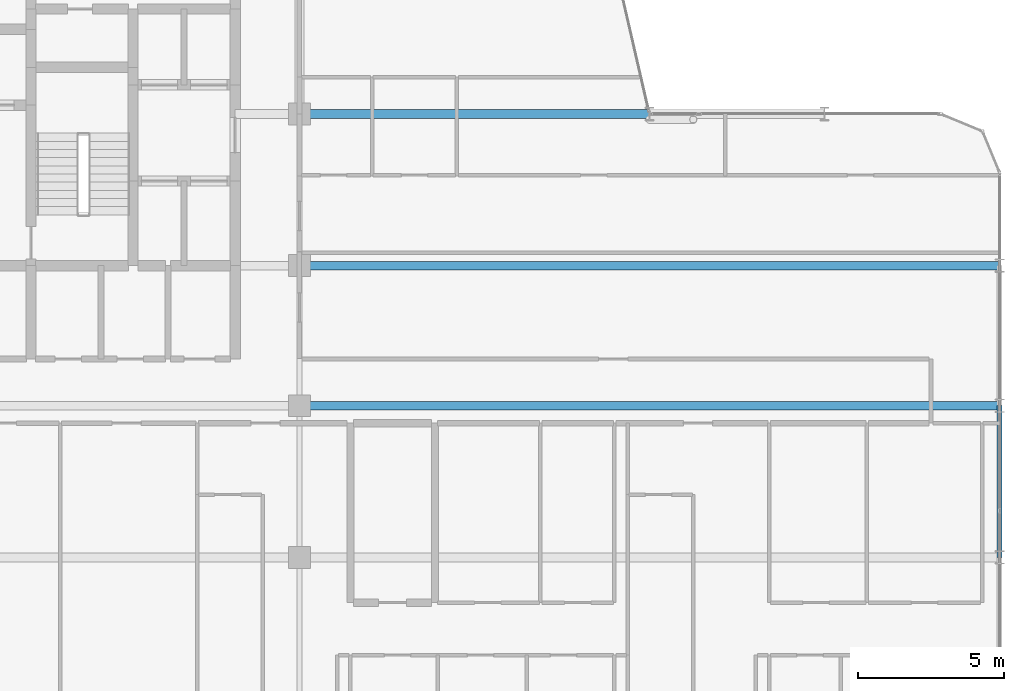
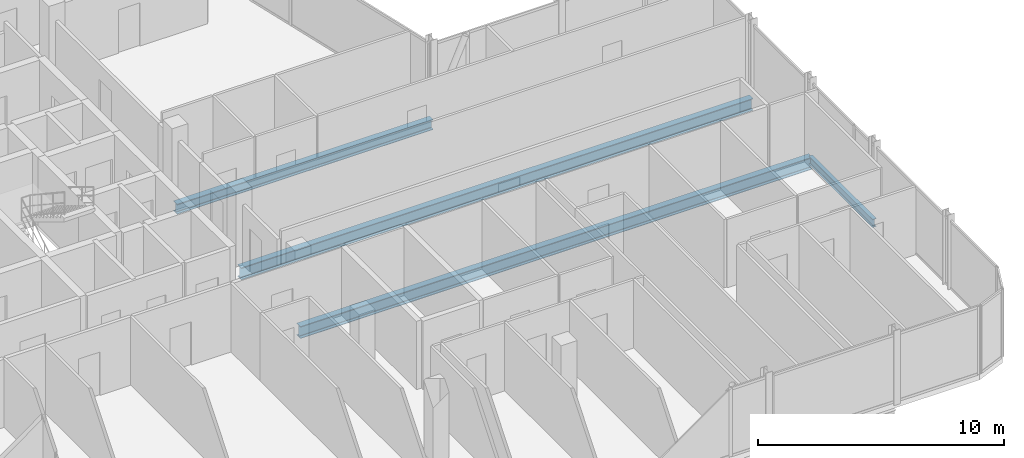
# One storey, part 13 of 29: 4 beams.
"""IFC4 building model written with IfcOpenShell, lengths in metres."""

from ifc_helpers import new_model, si_unit, direction, frame, origin, origin_2d, place, context, subcontext, project, spatial, i_section, extrude, material, material_profile, profile_set, type_object, element, save


model = new_model("IFC4")

# Units and contexts
model_context = context("Model", 3, precision=1e-05, world=origin(), true_north=direction((0.0, 1.0)))
body_context = subcontext(model_context, "Body", "Model", "MODEL_VIEW")
ifc_project = project(units=[si_unit("LENGTHUNIT", "METRE"), si_unit("AREAUNIT", "SQUARE_METRE"), si_unit("VOLUMEUNIT", "CUBIC_METRE"), si_unit("PLANEANGLEUNIT", "RADIAN"), si_unit("MASSUNIT", "GRAM", prefix="KILO")], contexts=[model_context])

# Site, building, storey
site_placement = place(None, origin())
site = spatial("IfcSite", under=ifc_project, at=site_placement, CompositionType="ELEMENT")
building_placement = place(site_placement, origin())
building = spatial("IfcBuilding", under=site, at=building_placement, Name="Keshet Zoharim Tower", CompositionType="ELEMENT")
storey_placement = place(building_placement, frame((0.0, 0.0, 214.300048828125)))
storey = spatial("IfcBuildingStorey", under=building, at=storey_placement, Name="L53", CompositionType="ELEMENT", Elevation=214.300048828125)

# Beams
ifc_material = material(Name="Steel S355", Category="steel")
ifc_material_profile_1 = material_profile(ifc_material, i_section(OverallWidth=0.300048828125, OverallDepth=0.60009765625, WebThickness=0.015380859375, FlangeThickness=0.030029296875, FilletRadius=0.027099609375, at=origin_2d()), Name="HEB600")
ifc_profile_set_1 = profile_set([ifc_material_profile_1], Name="Steel S355")
beam_type_1 = type_object("IfcBeamType", Name="BM-LNG-HB600", PredefinedType="BEAM", material=ifc_profile_set_1)
for number, where, z_axis, x_axis, name in (
    (1, (33.0, 17.89990234375, -0.610107421875), (1.0, 0.0, 0.0), (0.0, 1.0, 0.0), "L53 Primary Girder X-013"),
    (2, (33.0, 22.699951171875, -0.610107421875), (1.0, 0.0, 0.0), (0.0, 1.0, 0.0), "L53 Primary Girder X-014"),
):
    element("IfcBeam", number, at=place(storey_placement, frame(where, z_axis=z_axis, x_axis=x_axis)), inside=storey, type_object=beam_type_1, Name=name, PredefinedType="BEAM", context=body_context, shape_type="SweptSolid", body=[
        extrude(i_section(OverallWidth=0.300048828125, OverallDepth=0.60009765625, WebThickness=0.015380859375, FlangeThickness=0.030029296875, FilletRadius=0.027099609375, at=origin_2d()), origin(), (0.0, 0.0, 1.0), 24.0),
    ])
ifc_material_profile_2 = material_profile(ifc_material, i_section(OverallWidth=0.300048828125, OverallDepth=0.5, WebThickness=0.014404296875, FlangeThickness=0.028076171875, FilletRadius=0.027099609375, at=origin_2d()), Name="HEB500")
ifc_profile_set_2 = profile_set([ifc_material_profile_2], Name="Steel S355")
beam_type_2 = type_object("IfcBeamType", Name="BM-MED-HB500", PredefinedType="BEAM", material=ifc_profile_set_2)
beam_1_placement = place(storey_placement, frame((33.0, 27.89990234375, -0.56005859375), z_axis=(1.0, 0.0, 0.0), x_axis=(0.0, 1.0, 0.0)))
element("IfcBeam", 3, at=beam_1_placement, inside=storey, type_object=beam_type_2, Name="L53 Primary Girder X-015", PredefinedType="BEAM", context=body_context, shape_type="SweptSolid", body=[
    extrude(i_section(OverallWidth=0.300048828125, OverallDepth=0.5, WebThickness=0.014404296875, FlangeThickness=0.028076171875, FilletRadius=0.027099609375, at=origin_2d()), origin(), (0.0, 0.0, 1.0), 12.0),
])
ifc_material_profile_3 = material_profile(ifc_material, i_section(OverallWidth=0.179931640625, OverallDepth=0.39990234375, WebThickness=0.008544921875, FlangeThickness=0.013427734375, FilletRadius=0.02099609375, at=origin_2d()), Name="IPE400")
ifc_profile_set_3 = profile_set([ifc_material_profile_3], Name="Steel S355")
beam_type_3 = type_object("IfcBeamType", Name="BM-PRI-IP400", PredefinedType="BEAM", material=ifc_profile_set_3)
beam_2_placement = place(storey_placement, frame((57.0, 12.699951171875, -0.510009765625), z_axis=(0.0, 1.0, 0.0), x_axis=(-1.0, 0.0, 0.0)))
element("IfcBeam", 4, at=beam_2_placement, inside=storey, type_object=beam_type_3, Name="L53 Primary Girder Y-014", PredefinedType="BEAM", context=body_context, shape_type="SweptSolid", body=[
    extrude(i_section(OverallWidth=0.179931640625, OverallDepth=0.39990234375, WebThickness=0.008544921875, FlangeThickness=0.013427734375, FilletRadius=0.02099609375, at=origin_2d()), origin(), (0.0, 0.0, 1.0), 5.199951171875),
])

save(model, "model.ifc")
